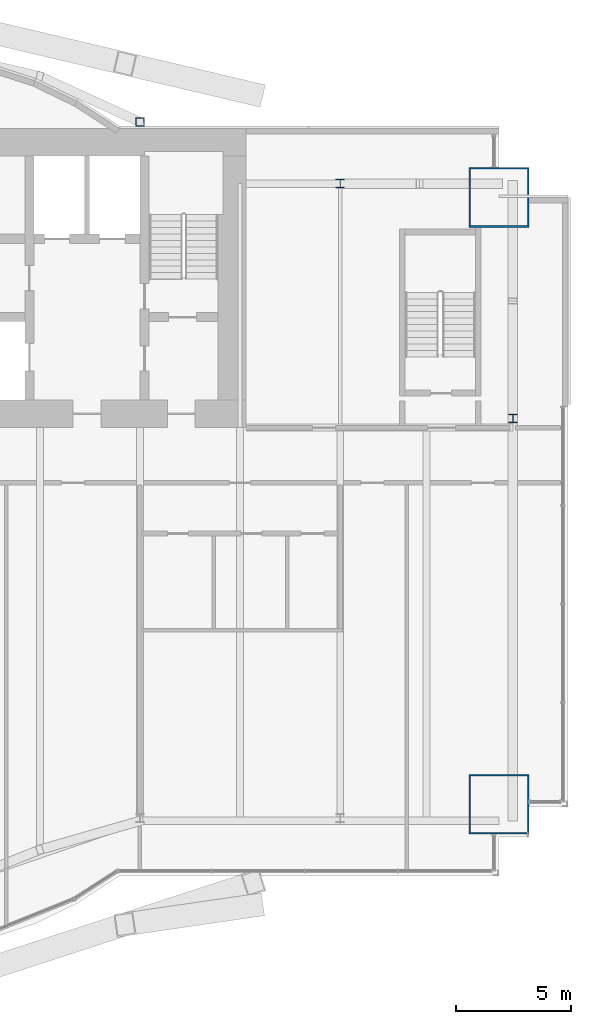
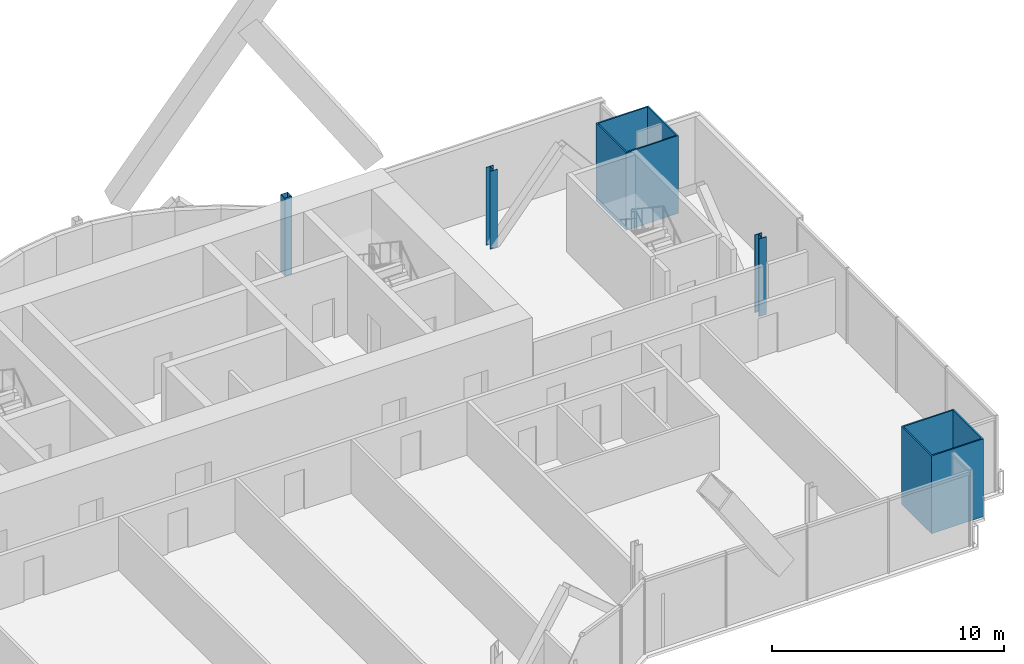
# One storey, part 4 of 22: 5 columns.
"""IFC4 building model written with IfcOpenShell, lengths in metres."""

from ifc_helpers import new_model, si_unit, direction, frame, origin, origin_2d, place, context, subcontext, project, spatial, hollow_rectangle, i_section, extrude, material, material_profile, profile_set, type_object, element, save


model = new_model("IFC4")

# Units and contexts
model_context = context("Model", 3, precision=1e-05, world=origin(), true_north=direction((0.0, 1.0)))
body_context = subcontext(model_context, "Body", "Model", "MODEL_VIEW")
ifc_project = project(units=[si_unit("LENGTHUNIT", "METRE"), si_unit("AREAUNIT", "SQUARE_METRE"), si_unit("VOLUMEUNIT", "CUBIC_METRE"), si_unit("PLANEANGLEUNIT", "RADIAN"), si_unit("MASSUNIT", "GRAM", prefix="KILO")], contexts=[model_context])

# Site, building, storey
site_placement = place(None, origin())
site = spatial("IfcSite", under=ifc_project, at=site_placement, CompositionType="ELEMENT")
building_placement = place(site_placement, origin())
building = spatial("IfcBuilding", under=site, at=building_placement, Name="Bicima Exchange Tower", CompositionType="ELEMENT")
storey_placement = place(building_placement, frame((0.0, 0.0, 203.199951171875)))
storey = spatial("IfcBuildingStorey", under=building, at=storey_placement, Name="L45", CompositionType="ELEMENT", Elevation=203.199951171875)

# Columns
ifc_material_1 = material(Name="Steel ASTM A572 Gr 50", Category="steel")
ifc_material_profile_1 = material_profile(ifc_material_1, hollow_rectangle(XDim=2.60009765625, YDim=2.60009765625, WallThickness=0.070068359375, at=origin_2d()))
ifc_profile_set_1 = profile_set([ifc_material_profile_1], Name="Steel ASTM A572 Gr 50")
column_type_1 = type_object("IfcColumnType", Name="Mega column BOX 2600x2600x70", PredefinedType="COLUMN", material=ifc_profile_set_1)
for number, where, z_axis, x_axis, name in (
    (1, (33.0, -29.362060546875, 0.0), (0.0, 0.0, 1.0), (1.0, 0.0, 0.0), "Mega column mega+33.0f"),
    (2, (33.0, -3.0, 0.0), (0.0, 0.0, 1.0), (1.0, 0.0, 0.0), "Mega column mega+33.0r"),
):
    element("IfcColumn", number, at=place(storey_placement, frame(where, z_axis=z_axis, x_axis=x_axis)), inside=storey, type_object=column_type_1, Name=name, PredefinedType="COLUMN", context=body_context, shape_type="SweptSolid", body=[
        extrude(hollow_rectangle(XDim=2.60009765625, YDim=2.60009765625, WallThickness=0.070068359375, at=origin_2d()), origin(), (0.0, 0.0, 1.0), 4.10009765625),
    ])
ifc_material_2 = material(Name="Steel ASTM A992 Gr 50", Category="steel")
ifc_material_profile_2 = material_profile(ifc_material_2, i_section(OverallWidth=0.373291015625, OverallDepth=0.373291015625, WebThickness=0.016357421875, FlangeThickness=0.026123046875, at=origin_2d()))
ifc_profile_set_2 = profile_set([ifc_material_profile_2], Name="Steel ASTM A992 Gr 50")
column_type_2 = type_object("IfcColumnType", Name="Perimeter column W14x132", PredefinedType="COLUMN", material=ifc_profile_set_2)
for number, where, z_axis, x_axis, name in (
    (3, (26.10009765625, -2.39990234375, 0.0), (0.0, 0.0, 1.0), (1.0, 0.0, 0.0), "Perimeter column grav+26.1r"),
    (4, (33.60009765625, -12.60009765625, 0.0), (0.0, 0.0, 1.0), (1.0, 0.0, 0.0), "End column end+33.6e"),
):
    element("IfcColumn", number, at=place(storey_placement, frame(where, z_axis=z_axis, x_axis=x_axis)), inside=storey, type_object=column_type_2, Name=name, PredefinedType="COLUMN", context=body_context, shape_type="SweptSolid", body=[
        extrude(i_section(OverallWidth=0.373291015625, OverallDepth=0.373291015625, WebThickness=0.016357421875, FlangeThickness=0.026123046875, at=origin_2d()), origin(), (0.0, 0.0, 1.0), 4.10009765625),
    ])
ifc_material_profile_3 = material_profile(ifc_material_1, hollow_rectangle(XDim=0.355712890625, YDim=0.355712890625, WallThickness=0.01171875, at=origin_2d()))
ifc_profile_set_3 = profile_set([ifc_material_profile_3], Name="Steel ASTM A572 Gr 50")
column_type_3 = type_object("IfcColumnType", Name="Rear pilaster HSS14x14x1/2", PredefinedType="COLUMN", material=ifc_profile_set_3)
column_placement = place(storey_placement, frame((17.39990234375, 0.278076171875, 0.0), z_axis=(0.0, 0.0, 1.0), x_axis=(1.0, 0.0, 0.0)))
element("IfcColumn", 5, at=column_placement, inside=storey, type_object=column_type_3, Name="Rear pilaster rexo+17.4r", PredefinedType="COLUMN", context=body_context, shape_type="SweptSolid", body=[
    extrude(hollow_rectangle(XDim=0.355712890625, YDim=0.355712890625, WallThickness=0.01171875, at=origin_2d()), origin(), (0.0, 0.0, 1.0), 4.10009765625),
])

save(model, "model.ifc")
